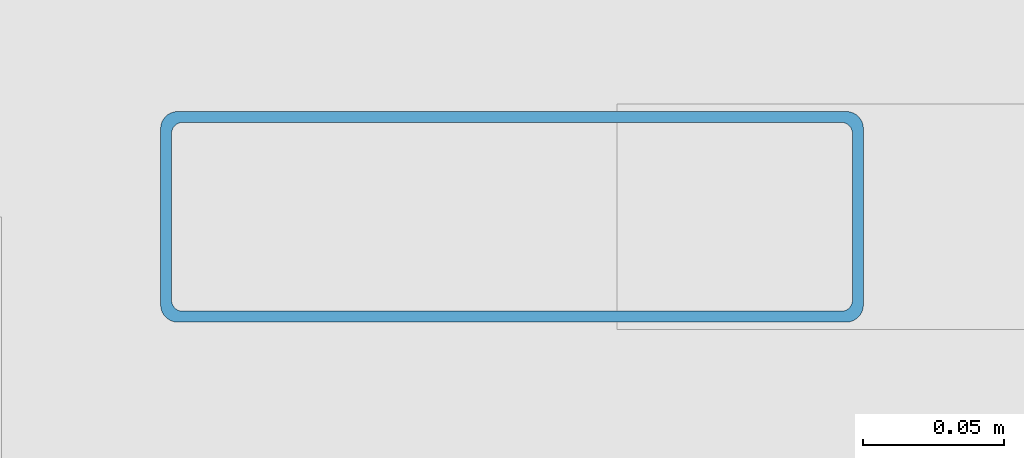
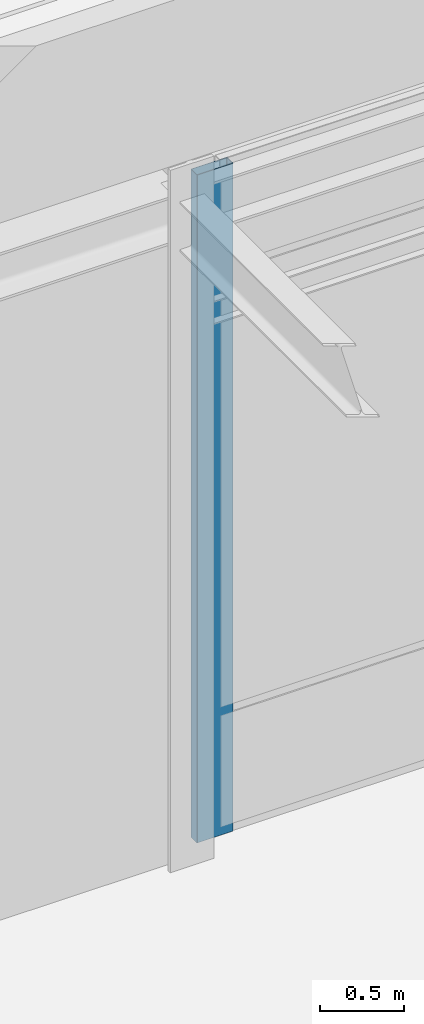
# One storey, part 52 of 113: 1 member, 1 element without a shape of its own.
"""IFC4 building model written with IfcOpenShell, lengths in metres."""

import ifcopenshell
import ifcopenshell.guid

model = None  # the IFC model being written
_history = None  # IfcOwnerHistory: only IFC2X3 demands one
_inside = {}  # id of a spatial element -> (the spatial element, [elements in it])
_under = {}  # id of a project, library or spatial element -> (it, [spatial elements below it])
_declared = {}  # id of a project -> (the project, [libraries it declares])
_typed = {}  # id of a type object -> (the type object, [elements of that type])
_made_of = {}  # id of a material, layer set ... -> (it, [elements and type objects made of it])


def new_model(schema):
    """Start an empty IFC model of exactly this schema.

    Asked for "IFC4X3", IfcOpenShell would pick the latest addendum, in which some entities
    have other attributes; the version numbers below select the first issue.
    IFC2X3 requires an IfcOwnerHistory on every rooted entity: one is made here for all.
    """
    global model, _history
    if schema == "IFC4X3":
        model = ifcopenshell.file(schema_version=(4, 3, 0, 0))
    else:
        model = ifcopenshell.file(schema=schema)
    _inside.clear()
    _under.clear()
    _declared.clear()
    _typed.clear()
    _made_of.clear()
    _history = None
    if model.schema == "IFC2X3":
        org = make("IfcOrganization", Name="unknown")
        user = make(
            "IfcPersonAndOrganization",
            ThePerson=make("IfcPerson", FamilyName="unknown"),
            TheOrganization=org,
        )
        app = make(
            "IfcApplication",
            ApplicationDeveloper=org,
            Version="unknown",
            ApplicationFullName="unknown",
            ApplicationIdentifier="unknown",
        )
        _history = make(
            "IfcOwnerHistory",
            OwningUser=user,
            OwningApplication=app,
            ChangeAction="ADDED",
            CreationDate=0,
        )
    return model


def make(cls, **values):
    """One entity of the class cls with the attributes given. An attribute that is None is left unset."""
    return model.create_entity(
        cls, **{name: value for name, value in values.items() if value is not None}
    )


def rooted(cls, **values):
    """An entity with a GlobalId (a new one), such as an element, a storey or a relation."""
    return make(cls, GlobalId=ifcopenshell.guid.new(), OwnerHistory=_history, **values)


def si_unit(unit_type, name, prefix=None):
    """IfcSIUnit, for example si_unit("LENGTHUNIT", "METRE", prefix="MILLI")."""
    return make("IfcSIUnit", UnitType=unit_type, Prefix=prefix, Name=name)


def assignment(units):
    """IfcUnitAssignment: the units of a project."""
    return None if units is None else make("IfcUnitAssignment", Units=units)


def point(xyz):
    """IfcCartesianPoint."""
    return None if xyz is None else make("IfcCartesianPoint", Coordinates=xyz)


def direction(xyz):
    """IfcDirection."""
    return None if xyz is None else make("IfcDirection", DirectionRatios=xyz)


def frame(location, z_axis=None, x_axis=None):
    """IfcAxis2Placement3D, a coordinate frame: its origin and axes. An axis left out is left unset."""
    return make(
        "IfcAxis2Placement3D",
        Location=point(location),
        Axis=direction(z_axis),
        RefDirection=direction(x_axis),
    )


def frame_2d(location, x_axis=None):
    """IfcAxis2Placement2D, a coordinate frame in the plane: its origin and x axis."""
    return make(
        "IfcAxis2Placement2D", Location=point(location), RefDirection=direction(x_axis)
    )


def origin():
    """The frame at (0, 0, 0) with its axes left unset."""
    return frame((0.0, 0.0, 0.0))


def origin_2d():
    """The frame at (0, 0) in the plane with its x axis left unset."""
    return frame_2d((0.0, 0.0))


def place(relative_to, where):
    """IfcLocalPlacement: puts the frame where relative to a parent placement (None: the world)."""
    return make(
        "IfcLocalPlacement", PlacementRelTo=relative_to, RelativePlacement=where
    )


def context(
    kind, dimensions, precision=None, world=None, true_north=None, identifier=None
):
    """IfcGeometricRepresentationContext, for example the 3D "Model" context."""
    return make(
        "IfcGeometricRepresentationContext",
        ContextIdentifier=identifier,
        ContextType=kind,
        CoordinateSpaceDimension=dimensions,
        Precision=precision,
        WorldCoordinateSystem=world,
        TrueNorth=true_north,
    )


def subcontext(parent, identifier, kind, view, scale=None):
    """IfcGeometricRepresentationSubContext, for example "Body" below "Model"."""
    return make(
        "IfcGeometricRepresentationSubContext",
        ContextIdentifier=identifier,
        ContextType=kind,
        ParentContext=parent,
        TargetScale=scale,
        TargetView=view,
    )


def project(units=None, contexts=None):
    """IfcProject with its units and contexts."""
    return rooted(
        "IfcProject",
        Name="project",
        RepresentationContexts=contexts,
        UnitsInContext=assignment(units),
    )


def spatial(cls, under=None, at=None, **own):
    """A site, building, storey or space (cls), placed at a placement, below another one or the project."""
    s = rooted(cls, ObjectPlacement=at, **own)
    if under is not None:
        _under.setdefault(under.id(), (under, []))[1].append(s)
    return s


def profile(cls, at=None, kind="AREA", **sizes):
    """A parametric profile (cls). Its sizes go by their IFC names, for example OverallWidth=200.0."""
    return make(cls, ProfileType=kind, Position=at, **sizes)


def hollow_rectangle(**sizes):
    """IfcRectangleHollowProfileDef."""
    return profile("IfcRectangleHollowProfileDef", **sizes)


def extrude(swept, where, along, depth):
    """IfcExtrudedAreaSolid: the profile swept, set in the frame where, extruded along a direction by depth."""
    return make(
        "IfcExtrudedAreaSolid",
        SweptArea=swept,
        Position=where,
        ExtrudedDirection=direction(along),
        Depth=depth,
    )


def shape(context_of_items, identifier, shape_type, items):
    """IfcShapeRepresentation: the items that make up one representation, for example the "Body"."""
    return make(
        "IfcShapeRepresentation",
        ContextOfItems=context_of_items,
        RepresentationIdentifier=identifier,
        RepresentationType=shape_type,
        Items=items,
    )


def material(Name=None, Category=None):
    """IfcMaterial."""
    return make("IfcMaterial", Name=Name, Category=Category)


def layer(
    of_material, thickness, ventilated=None, Name=None, Category=None, Priority=None
):
    """IfcMaterialLayer: one layer of a wall or slab, of a material (None: an air gap)."""
    return make(
        "IfcMaterialLayer",
        Material=of_material,
        LayerThickness=thickness,
        IsVentilated=ventilated,
        Name=Name,
        Category=Category,
        Priority=Priority,
    )


def layer_set(layers, Name=None):
    """IfcMaterialLayerSet."""
    return make("IfcMaterialLayerSet", MaterialLayers=layers, LayerSetName=Name)


def material_profile(
    of_material, cross_section, Name=None, Category=None, Priority=None
):
    """IfcMaterialProfile: a cross section and its material."""
    return make(
        "IfcMaterialProfile",
        Name=Name,
        Material=of_material,
        Profile=cross_section,
        Priority=Priority,
        Category=Category,
    )


def profile_set(profiles, Name=None, composite=None):
    """IfcMaterialProfileSet."""
    return make(
        "IfcMaterialProfileSet",
        Name=Name,
        MaterialProfiles=profiles,
        CompositeProfile=composite,
    )


def made_of(thing, what):
    """Note that an element or type object is made of a material, layer set ...; save() writes the relation."""
    if what is not None:
        _made_of.setdefault(what.id(), (what, []))[1].append(thing)
    return thing


def type_object(cls, material=None, **own):
    """A type object (cls), such as IfcWallType, which elements share."""
    return made_of(rooted(cls, **own), material)


def element(
    cls,
    number,
    at=None,
    inside=None,
    cuts=None,
    type_object=None,
    material=None,
    context=None,
    identifier="Body",
    shape_type=None,
    held_by="IfcProductDefinitionShape",
    body=None,
    shapes=None,
    **own,
):
    """One element of the class cls, such as IfcWall. Its Tag is "e" and its number.

    at: its placement. inside: the storey or other place that contains it. cuts: it is an
    opening in that element (IfcRelVoidsElement). A single representation is given by context,
    identifier, shape_type and body (its items); several are given by shapes. held_by: the class
    of the entity that holds the representations. save() writes the other relations.
    """
    e = rooted(cls, Tag="e%d" % number, ObjectPlacement=at, **own)
    if body is not None:
        shapes = [shape(context, identifier, shape_type, body)]
    if shapes is not None:
        e.Representation = make(held_by, Representations=shapes)
    if inside is not None:
        _inside.setdefault(inside.id(), (inside, []))[1].append(e)
    if cuts is not None:
        rooted(
            "IfcRelVoidsElement", RelatingBuildingElement=cuts, RelatedOpeningElement=e
        )
    if type_object is not None:
        _typed.setdefault(type_object.id(), (type_object, []))[1].append(e)
    return made_of(e, material)


def aggregate(whole, parts):
    """IfcRelAggregates: a whole, such as a stair, and the parts it consists of."""
    return rooted("IfcRelAggregates", RelatingObject=whole, RelatedObjects=parts)


def save(model, path):
    """Write the relations noted so far, then the file.

    IfcRelAggregates (storeys below a building ...), IfcRelContainedInSpatialStructure (elements
    in a storey), IfcRelDefinesByType, IfcRelAssociatesMaterial and IfcRelDeclares: one each for
    every whole, place, type object, material and project.
    """
    for whole, parts in _under.values():
        aggregate(whole, parts)
    for where, things in _inside.values():
        rooted(
            "IfcRelContainedInSpatialStructure",
            RelatedElements=things,
            RelatingStructure=where,
        )
    for kind, things in _typed.values():
        rooted("IfcRelDefinesByType", RelatedObjects=things, RelatingType=kind)
    for what, things in _made_of.values():
        rooted("IfcRelAssociatesMaterial", RelatedObjects=things, RelatingMaterial=what)
    for by, libraries in _declared.values():
        rooted("IfcRelDeclares", RelatingContext=by, RelatedDefinitions=libraries)
    model.write(path)


model = new_model("IFC4")

# Units and contexts
model_context = context("Model", 3, precision=1e-05, world=origin(), true_north=direction((0.0, 1.0)))
body_context = subcontext(model_context, "Body", "Model", "MODEL_VIEW")
ifc_project = project(units=[si_unit("LENGTHUNIT", "METRE"), si_unit("AREAUNIT", "SQUARE_METRE"), si_unit("VOLUMEUNIT", "CUBIC_METRE"), si_unit("PLANEANGLEUNIT", "RADIAN"), si_unit("MASSUNIT", "GRAM", prefix="KILO")], contexts=[model_context])

# Site, building, storey
site_placement = place(None, origin())
site = spatial("IfcSite", under=ifc_project, at=site_placement, CompositionType="ELEMENT")
building_placement = place(site_placement, origin())
building = spatial("IfcBuilding", under=site, at=building_placement, Name="Shalkamar Park Central Library", CompositionType="ELEMENT")
storey_placement = place(building_placement, frame((0.0, 0.0, 5.39990234375)))
storey = spatial("IfcBuildingStorey", under=building, at=storey_placement, Name="L02", CompositionType="ELEMENT", Elevation=5.39990234375)

# Curtain wall, member
ifc_material_1 = material(Name="Thermally broken aluminium and triple low-e curtain wall", Category="aluminium")
ifc_layer = layer(ifc_material_1, 0.25)
ifc_layer_set = layer_set([ifc_layer], Name="UnitisedCurtainWall_33")
curtain_wall_type = type_object("IfcCurtainWallType", Name="Unitised Curtain Wall 33", PredefinedType="USERDEFINED", material=ifc_layer_set)
curtain_wall_placement = place(storey_placement, origin())
curtain_wall = element("IfcCurtainWall", 1, at=curtain_wall_placement, inside=storey, type_object=curtain_wall_type, Name="Unitised Curtain Wall CW-L02-037", ObjectType="UNITISED CURTAIN WALL", PredefinedType="USERDEFINED")
ifc_material_2 = material(Name="Aluminium 6060-T66", Category="aluminium")
ifc_material_profile = material_profile(ifc_material_2, hollow_rectangle(XDim=0.074951171875, YDim=0.25, WallThickness=0.00390625, InnerFilletRadius=0.00390625, OuterFilletRadius=0.006103515625, at=origin_2d()), Name="ALU 75x250x4")
ifc_profile_set = profile_set([ifc_material_profile], Name="Aluminium 6060-T66")
member_type = type_object("IfcMemberType", Name="Curtain Wall Mullion ALU75x250", PredefinedType="MULLION", material=ifc_profile_set)
member_placement = place(storey_placement, frame((246.2666015625, 338.0, 0.0), z_axis=(0.0, 0.0, 1.0), x_axis=(0.0, 1.0, 0.0)))
member = element("IfcMember", 2, at=member_placement, type_object=member_type, Name="CW-33 mullion 1", PredefinedType="MULLION", context=body_context, shape_type="SweptSolid", body=[
    extrude(hollow_rectangle(XDim=0.074951171875, YDim=0.25, WallThickness=0.00390625, InnerFilletRadius=0.00390625, OuterFilletRadius=0.006103515625, at=origin_2d()), origin(), (0.0, 0.0, 1.0), 4.85009765625),
])
aggregate(curtain_wall, [member])

save(model, "model.ifc")
